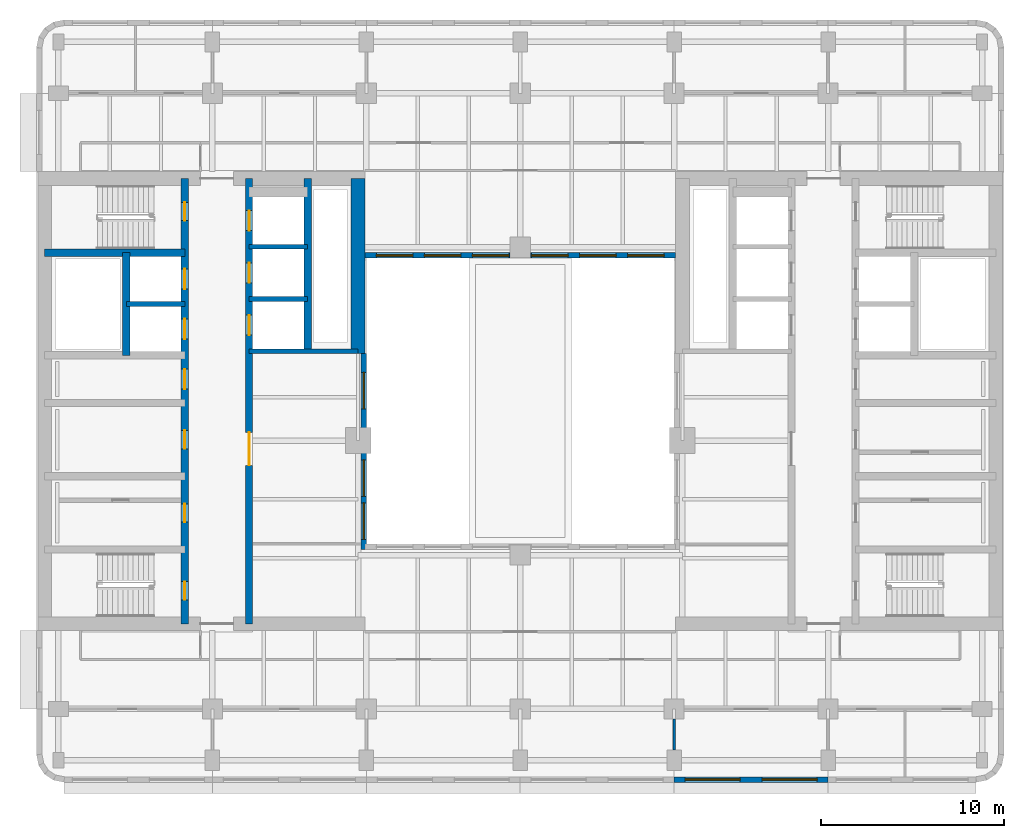
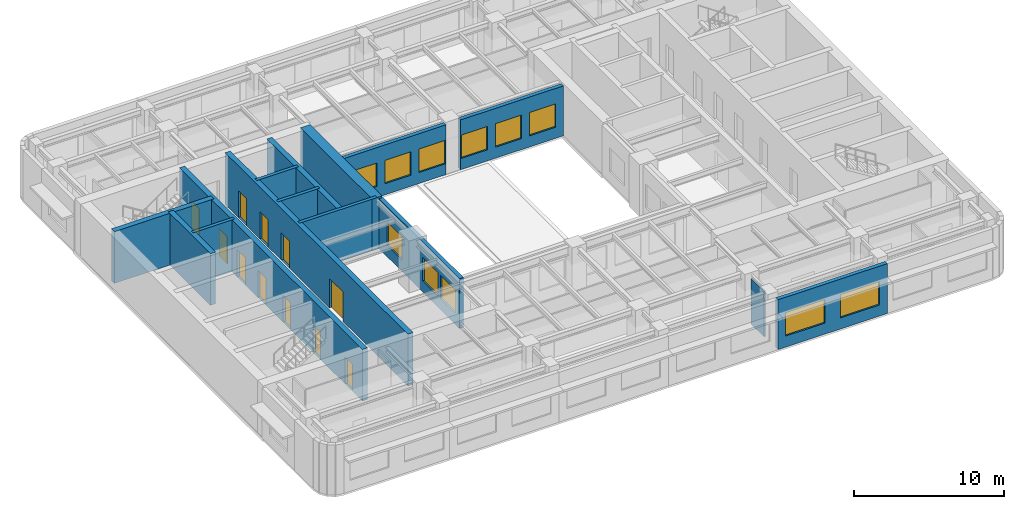
# One storey, part 4 of 11: 15 walls, 11 doors, 11 windows, 22 openings.
"""IFC4 building model written with IfcOpenShell, lengths in metres."""

from ifc_helpers import new_model, si_unit, direction, frame, frame_2d, origin, place, context, subcontext, project, spatial, rectangle, extrude, material, layer, layer_set, type_object, element, fill, save


model = new_model("IFC4")

# Units and contexts
model_context = context("Model", 3, precision=1e-05, world=origin(), true_north=direction((0.0, 1.0)))
body_context = subcontext(model_context, "Body", "Model", "MODEL_VIEW")
ifc_project = project(units=[si_unit("LENGTHUNIT", "METRE"), si_unit("AREAUNIT", "SQUARE_METRE"), si_unit("VOLUMEUNIT", "CUBIC_METRE"), si_unit("PLANEANGLEUNIT", "RADIAN"), si_unit("MASSUNIT", "GRAM", prefix="KILO")], contexts=[model_context])

# Site, building, storey
site_placement = place(None, origin())
site = spatial("IfcSite", under=ifc_project, at=site_placement, CompositionType="ELEMENT")
building_placement = place(site_placement, origin())
building = spatial("IfcBuilding", under=site, at=building_placement, Name="Claustro Exchange Tower", CompositionType="ELEMENT")
storey_placement = place(building_placement, frame((0.0, 0.0, 177.60009765625)))
storey = spatial("IfcBuildingStorey", under=building, at=storey_placement, Name="L40", CompositionType="ELEMENT", Elevation=177.60009765625)

# Wall
ifc_material_1 = material(Name="Laminated glass in aluminium frame", Category="aluminium")
ifc_layer_1 = layer(ifc_material_1, 0.1201171875)
ifc_layer_set_1 = layer_set([ifc_layer_1], Name="Laminated glass in aluminium frame")
wall_type_1 = type_object("IfcWallType", Name="P2 120 glazed partition", PredefinedType="PARTITIONING", material=ifc_layer_set_1)
wall_1_placement = place(storey_placement, frame((33.60009765625, 6.14892578125, 0.0), z_axis=(0.0, 0.0, 1.0), x_axis=(0.0, 1.0, 0.0)))
element("IfcWall", 1, at=wall_1_placement, inside=storey, type_object=wall_type_1, Name="Partition P2 L40", PredefinedType="PARTITIONING", context=body_context, shape_type="SweptSolid", body=[
    extrude(rectangle(XDim=1.7021484375, YDim=0.1201171875, at=frame_2d((0.85107421875, 0.0))), origin(), (0.0, 0.0, 1.0), 3.68994140625),
])

# Wall, openings, windows
ifc_material_2 = material(Name="Concrete HA-40 (C40/50), precast, white cement, acid-etched", Category="concrete")
ifc_layer_2 = layer(ifc_material_2, 0.300048828125)
ifc_layer_set_2 = layer_set([ifc_layer_2], Name="Concrete HA-40 (C40/50), precast, white cement, acid-etched")
wall_type_2 = type_object("IfcWallType", Name="PC1 300 precast concrete pier panel", PredefinedType="SOLIDWALL", material=ifc_layer_set_2)
wall_2_placement = place(storey_placement, frame((42.0, 4.550048828125, 0.0), z_axis=(0.0, 0.0, 1.0), x_axis=(-1.0, 0.0, 0.0)))
wall_2 = element("IfcWall", 2, at=wall_2_placement, inside=storey, type_object=wall_type_2, Name="Precast pier panel PC1 L40", PredefinedType="SOLIDWALL", context=body_context, shape_type="SweptSolid", body=[
    extrude(rectangle(XDim=8.39990234375, YDim=0.300048828125, at=frame_2d((4.199951171875, 0.0))), origin(), (0.0, 0.0, 1.0), 4.0498046875),
])
opening_1_placement = place(wall_2_placement, frame((0.60009765625, 0.0, 0.89990234375)))
opening_1 = element("IfcOpeningElement", 3, at=opening_1_placement, cuts=wall_2, Name="Opening W1", PredefinedType="OPENING", context=body_context, shape_type="SweptSolid", body=[
    extrude(rectangle(XDim=3.0, YDim=1.89990234375, at=frame_2d((1.5, 0.949951171875))), frame((0.0, 0.159912109375, 0.0), z_axis=(0.0, -1.0, 0.0), x_axis=(1.0, 0.0, 0.0)), (0.0, 0.0, 1.0), 0.320068359375),
])
opening_2_placement = place(wall_2_placement, frame((4.800048828125, 0.0, 0.89990234375)))
opening_2 = element("IfcOpeningElement", 4, at=opening_2_placement, cuts=wall_2, Name="Opening W1", PredefinedType="OPENING", context=body_context, shape_type="SweptSolid", body=[
    extrude(rectangle(XDim=3.0, YDim=1.89990234375, at=frame_2d((1.5, 0.949951171875))), frame((0.0, 0.159912109375, 0.0), z_axis=(0.0, -1.0, 0.0), x_axis=(1.0, 0.0, 0.0)), (0.0, 0.0, 1.0), 0.320068359375),
])
ifc_material_3 = material(Name="Aluminium frame, clear double glazing", Category="aluminium")
window_type_1 = type_object("IfcWindowType", Name="W1 3000 x 1900 window", PartitioningType="SINGLE_PANEL", PredefinedType="WINDOW", material=ifc_material_3)
window_1_placement = place(opening_1_placement, origin())
window_1 = element("IfcWindow", 5, at=window_1_placement, inside=storey, type_object=window_type_1, Name="Window W1 L40", OverallHeight=1.89990234375, OverallWidth=3.0, PartitioningType="SINGLE_PANEL", PredefinedType="WINDOW", context=body_context, shape_type="SweptSolid", body=[
    extrude(rectangle(XDim=3.0, YDim=1.89990234375, at=frame_2d((1.5, 0.949951171875))), frame((0.0, 0.030029296875, 0.0), z_axis=(0.0, -1.0, 0.0), x_axis=(1.0, 0.0, 0.0)), (0.0, 0.0, 1.0), 0.06005859375),
])
fill(opening_1, window_1)
window_2_placement = place(opening_2_placement, origin())
window_2 = element("IfcWindow", 6, at=window_2_placement, inside=storey, type_object=window_type_1, Name="Window W1 L40", OverallHeight=1.89990234375, OverallWidth=3.0, PartitioningType="SINGLE_PANEL", PredefinedType="WINDOW", context=body_context, shape_type="SweptSolid", body=[
    extrude(rectangle(XDim=3.0, YDim=1.89990234375, at=frame_2d((1.5, 0.949951171875))), frame((0.0, 0.030029296875, 0.0), z_axis=(0.0, -1.0, 0.0), x_axis=(1.0, 0.0, 0.0)), (0.0, 0.0, 1.0), 0.06005859375),
])
fill(opening_2, window_2)

wall_3_placement = place(storey_placement, frame((16.64990234375, 17.10009765625, 0.0), z_axis=(0.0, 0.0, 1.0), x_axis=(0.0, 1.0, 0.0)))
wall_3 = element("IfcWall", 7, at=wall_3_placement, inside=storey, type_object=wall_type_2, Name="Precast pier panel PC1 L40", PredefinedType="SOLIDWALL", context=body_context, shape_type="SweptSolid", body=[
    extrude(rectangle(XDim=10.699951171875, YDim=0.300048828125, at=frame_2d((5.35009765625, 0.0))), origin(), (0.0, 0.0, 1.0), 4.0498046875),
])
opening_3_placement = place(wall_3_placement, frame((0.550048828125, 0.0, 0.89990234375)))
opening_3 = element("IfcOpeningElement", 8, at=opening_3_placement, cuts=wall_3, Name="Opening W4", PredefinedType="OPENING", context=body_context, shape_type="SweptSolid", body=[
    extrude(rectangle(XDim=2.0, YDim=1.89990234375, at=frame_2d((1.0, 0.949951171875))), frame((0.0, 0.159912109375, 0.0), z_axis=(0.0, -1.0, 0.0), x_axis=(1.0, 0.0, 0.0)), (0.0, 0.0, 1.0), 0.320068359375),
])
opening_4_placement = place(wall_3_placement, frame((2.89990234375, 0.0, 0.89990234375)))
opening_4 = element("IfcOpeningElement", 9, at=opening_4_placement, cuts=wall_3, Name="Opening W4", PredefinedType="OPENING", context=body_context, shape_type="SweptSolid", body=[
    extrude(rectangle(XDim=2.0, YDim=1.89990234375, at=frame_2d((1.0, 0.949951171875))), frame((0.0, 0.159912109375, 0.0), z_axis=(0.0, -1.0, 0.0), x_axis=(1.0, 0.0, 0.0)), (0.0, 0.0, 1.0), 0.320068359375),
])
opening_5_placement = place(wall_3_placement, frame((7.675048828125, 0.0, 0.89990234375)))
opening_5 = element("IfcOpeningElement", 10, at=opening_5_placement, cuts=wall_3, Name="Opening W4", PredefinedType="OPENING", context=body_context, shape_type="SweptSolid", body=[
    extrude(rectangle(XDim=2.0, YDim=1.89990234375, at=frame_2d((1.0, 0.949951171875))), frame((0.0, 0.159912109375, 0.0), z_axis=(0.0, -1.0, 0.0), x_axis=(1.0, 0.0, 0.0)), (0.0, 0.0, 1.0), 0.320068359375),
])
ifc_material_4 = material(Name="Aluminium frame, clear double glazing", Category="aluminium")
window_type_2 = type_object("IfcWindowType", Name="W4 2000 x 1900 light well window", PartitioningType="SINGLE_PANEL", PredefinedType="WINDOW", material=ifc_material_4)
window_3_placement = place(opening_3_placement, origin())
window_3 = element("IfcWindow", 11, at=window_3_placement, inside=storey, type_object=window_type_2, Name="Window W4 L40", OverallHeight=1.89990234375, OverallWidth=2.0, PartitioningType="SINGLE_PANEL", PredefinedType="WINDOW", context=body_context, shape_type="SweptSolid", body=[
    extrude(rectangle(XDim=2.0, YDim=1.89990234375, at=frame_2d((1.0, 0.949951171875))), frame((0.0, 0.030029296875, 0.0), z_axis=(0.0, -1.0, 0.0), x_axis=(1.0, 0.0, 0.0)), (0.0, 0.0, 1.0), 0.06005859375),
])
fill(opening_3, window_3)
window_4_placement = place(opening_4_placement, origin())
window_4 = element("IfcWindow", 12, at=window_4_placement, inside=storey, type_object=window_type_2, Name="Window W4 L40", OverallHeight=1.89990234375, OverallWidth=2.0, PartitioningType="SINGLE_PANEL", PredefinedType="WINDOW", context=body_context, shape_type="SweptSolid", body=[
    extrude(rectangle(XDim=2.0, YDim=1.89990234375, at=frame_2d((1.0, 0.949951171875))), frame((0.0, 0.030029296875, 0.0), z_axis=(0.0, -1.0, 0.0), x_axis=(1.0, 0.0, 0.0)), (0.0, 0.0, 1.0), 0.06005859375),
])
fill(opening_4, window_4)
window_5_placement = place(opening_5_placement, origin())
window_5 = element("IfcWindow", 13, at=window_5_placement, inside=storey, type_object=window_type_2, Name="Window W4 L40", OverallHeight=1.89990234375, OverallWidth=2.0, PartitioningType="SINGLE_PANEL", PredefinedType="WINDOW", context=body_context, shape_type="SweptSolid", body=[
    extrude(rectangle(XDim=2.0, YDim=1.89990234375, at=frame_2d((1.0, 0.949951171875))), frame((0.0, 0.030029296875, 0.0), z_axis=(0.0, -1.0, 0.0), x_axis=(1.0, 0.0, 0.0)), (0.0, 0.0, 1.0), 0.06005859375),
])
fill(opening_5, window_5)

wall_4_placement = place(storey_placement, frame((16.72509765625, 33.14990234375, 0.0), z_axis=(0.0, 0.0, 1.0), x_axis=(1.0, 0.0, 0.0)))
wall_4 = element("IfcWall", 14, at=wall_4_placement, inside=storey, type_object=wall_type_2, Name="Precast pier panel PC1 L40", PredefinedType="SOLIDWALL", context=body_context, shape_type="SweptSolid", body=[
    extrude(rectangle(XDim=7.9248046875, YDim=0.300048828125, at=frame_2d((3.96240234375, 0.0))), origin(), (0.0, 0.0, 1.0), 4.0498046875),
])
opening_6_placement = place(wall_4_placement, frame((0.61865234375, 0.0, 0.89990234375)))
opening_6 = element("IfcOpeningElement", 15, at=opening_6_placement, cuts=wall_4, Name="Opening W4", PredefinedType="OPENING", context=body_context, shape_type="SweptSolid", body=[
    extrude(rectangle(XDim=2.0, YDim=1.89990234375, at=frame_2d((1.0, 0.949951171875))), frame((0.0, 0.159912109375, 0.0), z_axis=(0.0, -1.0, 0.0), x_axis=(1.0, 0.0, 0.0)), (0.0, 0.0, 1.0), 0.320068359375),
])
opening_7_placement = place(wall_4_placement, frame((3.237548828125, 0.0, 0.89990234375)))
opening_7 = element("IfcOpeningElement", 16, at=opening_7_placement, cuts=wall_4, Name="Opening W4", PredefinedType="OPENING", context=body_context, shape_type="SweptSolid", body=[
    extrude(rectangle(XDim=2.0, YDim=1.89990234375, at=frame_2d((1.0, 0.949951171875))), frame((0.0, 0.159912109375, 0.0), z_axis=(0.0, -1.0, 0.0), x_axis=(1.0, 0.0, 0.0)), (0.0, 0.0, 1.0), 0.320068359375),
])
opening_8_placement = place(wall_4_placement, frame((5.856201171875, 0.0, 0.89990234375)))
opening_8 = element("IfcOpeningElement", 17, at=opening_8_placement, cuts=wall_4, Name="Opening W4", PredefinedType="OPENING", context=body_context, shape_type="SweptSolid", body=[
    extrude(rectangle(XDim=2.0, YDim=1.89990234375, at=frame_2d((1.0, 0.949951171875))), frame((0.0, 0.159912109375, 0.0), z_axis=(0.0, -1.0, 0.0), x_axis=(1.0, 0.0, 0.0)), (0.0, 0.0, 1.0), 0.320068359375),
])
window_6_placement = place(opening_6_placement, origin())
window_6 = element("IfcWindow", 18, at=window_6_placement, inside=storey, type_object=window_type_2, Name="Window W4 L40", OverallHeight=1.89990234375, OverallWidth=2.0, PartitioningType="SINGLE_PANEL", PredefinedType="WINDOW", context=body_context, shape_type="SweptSolid", body=[
    extrude(rectangle(XDim=2.0, YDim=1.89990234375, at=frame_2d((1.0, 0.949951171875))), frame((0.0, 0.030029296875, 0.0), z_axis=(0.0, -1.0, 0.0), x_axis=(1.0, 0.0, 0.0)), (0.0, 0.0, 1.0), 0.06005859375),
])
fill(opening_6, window_6)
window_7_placement = place(opening_7_placement, origin())
window_7 = element("IfcWindow", 19, at=window_7_placement, inside=storey, type_object=window_type_2, Name="Window W4 L40", OverallHeight=1.89990234375, OverallWidth=2.0, PartitioningType="SINGLE_PANEL", PredefinedType="WINDOW", context=body_context, shape_type="SweptSolid", body=[
    extrude(rectangle(XDim=2.0, YDim=1.89990234375, at=frame_2d((1.0, 0.949951171875))), frame((0.0, 0.030029296875, 0.0), z_axis=(0.0, -1.0, 0.0), x_axis=(1.0, 0.0, 0.0)), (0.0, 0.0, 1.0), 0.06005859375),
])
fill(opening_7, window_7)
window_8_placement = place(opening_8_placement, origin())
window_8 = element("IfcWindow", 20, at=window_8_placement, inside=storey, type_object=window_type_2, Name="Window W4 L40", OverallHeight=1.89990234375, OverallWidth=2.0, PartitioningType="SINGLE_PANEL", PredefinedType="WINDOW", context=body_context, shape_type="SweptSolid", body=[
    extrude(rectangle(XDim=2.0, YDim=1.89990234375, at=frame_2d((1.0, 0.949951171875))), frame((0.0, 0.030029296875, 0.0), z_axis=(0.0, -1.0, 0.0), x_axis=(1.0, 0.0, 0.0)), (0.0, 0.0, 1.0), 0.06005859375),
])
fill(opening_8, window_8)

wall_5_placement = place(storey_placement, frame((25.75, 33.14990234375, 0.0), z_axis=(0.0, 0.0, 1.0), x_axis=(1.0, 0.0, 0.0)))
wall_5 = element("IfcWall", 21, at=wall_5_placement, inside=storey, type_object=wall_type_2, Name="Precast pier panel PC1 L40", PredefinedType="SOLIDWALL", context=body_context, shape_type="SweptSolid", body=[
    extrude(rectangle(XDim=7.925048828125, YDim=0.300048828125, at=frame_2d((3.96240234375, 0.0))), origin(), (0.0, 0.0, 1.0), 4.0498046875),
])
opening_9_placement = place(wall_5_placement, frame((0.068603515625, 0.0, 0.89990234375)))
opening_9 = element("IfcOpeningElement", 22, at=opening_9_placement, cuts=wall_5, Name="Opening W4", PredefinedType="OPENING", context=body_context, shape_type="SweptSolid", body=[
    extrude(rectangle(XDim=2.0, YDim=1.89990234375, at=frame_2d((1.0, 0.949951171875))), frame((0.0, 0.159912109375, 0.0), z_axis=(0.0, -1.0, 0.0), x_axis=(1.0, 0.0, 0.0)), (0.0, 0.0, 1.0), 0.320068359375),
])
opening_10_placement = place(wall_5_placement, frame((2.6875, 0.0, 0.89990234375)))
opening_10 = element("IfcOpeningElement", 23, at=opening_10_placement, cuts=wall_5, Name="Opening W4", PredefinedType="OPENING", context=body_context, shape_type="SweptSolid", body=[
    extrude(rectangle(XDim=2.0, YDim=1.89990234375, at=frame_2d((1.0, 0.949951171875))), frame((0.0, 0.159912109375, 0.0), z_axis=(0.0, -1.0, 0.0), x_axis=(1.0, 0.0, 0.0)), (0.0, 0.0, 1.0), 0.320068359375),
])
opening_11_placement = place(wall_5_placement, frame((5.30615234375, 0.0, 0.89990234375)))
opening_11 = element("IfcOpeningElement", 24, at=opening_11_placement, cuts=wall_5, Name="Opening W4", PredefinedType="OPENING", context=body_context, shape_type="SweptSolid", body=[
    extrude(rectangle(XDim=2.0, YDim=1.89990234375, at=frame_2d((1.0, 0.949951171875))), frame((0.0, 0.159912109375, 0.0), z_axis=(0.0, -1.0, 0.0), x_axis=(1.0, 0.0, 0.0)), (0.0, 0.0, 1.0), 0.320068359375),
])
window_9_placement = place(opening_9_placement, origin())
window_9 = element("IfcWindow", 25, at=window_9_placement, inside=storey, type_object=window_type_2, Name="Window W4 L40", OverallHeight=1.89990234375, OverallWidth=2.0, PartitioningType="SINGLE_PANEL", PredefinedType="WINDOW", context=body_context, shape_type="SweptSolid", body=[
    extrude(rectangle(XDim=2.0, YDim=1.89990234375, at=frame_2d((1.0, 0.949951171875))), frame((0.0, 0.030029296875, 0.0), z_axis=(0.0, -1.0, 0.0), x_axis=(1.0, 0.0, 0.0)), (0.0, 0.0, 1.0), 0.06005859375),
])
fill(opening_9, window_9)
window_10_placement = place(opening_10_placement, origin())
window_10 = element("IfcWindow", 26, at=window_10_placement, inside=storey, type_object=window_type_2, Name="Window W4 L40", OverallHeight=1.89990234375, OverallWidth=2.0, PartitioningType="SINGLE_PANEL", PredefinedType="WINDOW", context=body_context, shape_type="SweptSolid", body=[
    extrude(rectangle(XDim=2.0, YDim=1.89990234375, at=frame_2d((1.0, 0.949951171875))), frame((0.0, 0.030029296875, 0.0), z_axis=(0.0, -1.0, 0.0), x_axis=(1.0, 0.0, 0.0)), (0.0, 0.0, 1.0), 0.06005859375),
])
fill(opening_10, window_10)
window_11_placement = place(opening_11_placement, origin())
window_11 = element("IfcWindow", 27, at=window_11_placement, inside=storey, type_object=window_type_2, Name="Window W4 L40", OverallHeight=1.89990234375, OverallWidth=2.0, PartitioningType="SINGLE_PANEL", PredefinedType="WINDOW", context=body_context, shape_type="SweptSolid", body=[
    extrude(rectangle(XDim=2.0, YDim=1.89990234375, at=frame_2d((1.0, 0.949951171875))), frame((0.0, 0.030029296875, 0.0), z_axis=(0.0, -1.0, 0.0), x_axis=(1.0, 0.0, 0.0)), (0.0, 0.0, 1.0), 0.06005859375),
])
fill(opening_11, window_11)

# Wall
ifc_material_5 = material(Name="Concrete HA-70 (C70/85)", Category="concrete")
ifc_layer_3 = layer(ifc_material_5, 0.75)
ifc_layer_set_3 = layer_set([ifc_layer_3], Name="Concrete HA-70 (C70/85)")
wall_type_3 = type_object("IfcWallType", Name="SW2X 750 exposed core shear wall, board-marked face", PredefinedType="SHEAR", material=ifc_layer_set_3)
wall_6_placement = place(storey_placement, frame((16.35009765625, 27.800048828125, 0.0), z_axis=(0.0, 0.0, 1.0), x_axis=(0.0, 1.0, 0.0)))
element("IfcWall", 28, at=wall_6_placement, inside=storey, type_object=wall_type_3, Name="Core wall SW2X W core E face L40", PredefinedType="SHEAR", context=body_context, shape_type="SweptSolid", body=[
    extrude(rectangle(XDim=9.550048828125, YDim=0.75, at=frame_2d((4.77490234375, 0.0))), origin(), (0.0, 0.0, 1.0), 4.199951171875),
])

# Wall, openings, doors
ifc_material_6 = material(Name="Concrete HA-50 (C50/60)", Category="concrete")
ifc_layer_4 = layer(ifc_material_6, 0.39990234375)
ifc_layer_set_4 = layer_set([ifc_layer_4], Name="Concrete HA-50 (C50/60)")
wall_type_4 = type_object("IfcWallType", Name="SW4 400 internal core wall", PredefinedType="SHEAR", material=ifc_layer_set_4)
wall_7_placement = place(storey_placement, frame((6.89990234375, 13.050048828125, 0.0), z_axis=(0.0, 0.0, 1.0), x_axis=(0.0, 1.0, 0.0)))
wall_7 = element("IfcWall", 29, at=wall_7_placement, inside=storey, type_object=wall_type_4, Name="Internal core wall SW4 W core L40", PredefinedType="SHEAR", context=body_context, shape_type="SweptSolid", body=[
    extrude(rectangle(XDim=24.300048828125, YDim=0.39990234375, at=frame_2d((12.14990234375, 0.0))), origin(), (0.0, 0.0, 1.0), 4.199951171875),
])
opening_12_placement = place(wall_7_placement, frame((1.300048828125, 0.0, 0.0)))
opening_12 = element("IfcOpeningElement", 30, at=opening_12_placement, cuts=wall_7, Name="Opening D4", PredefinedType="OPENING", context=body_context, shape_type="SweptSolid", body=[
    extrude(rectangle(XDim=1.0, YDim=2.199951171875, at=frame_2d((0.5, 1.10009765625))), frame((0.0, 0.2099609375, 0.0), z_axis=(0.0, -1.0, 0.0), x_axis=(1.0, 0.0, 0.0)), (0.0, 0.0, 1.0), 0.419921875),
])
opening_13_placement = place(wall_7_placement, frame((22.0, 0.0, 0.0)))
opening_13 = element("IfcOpeningElement", 31, at=opening_13_placement, cuts=wall_7, Name="Opening D4", PredefinedType="OPENING", context=body_context, shape_type="SweptSolid", body=[
    extrude(rectangle(XDim=1.0, YDim=2.199951171875, at=frame_2d((0.5, 1.10009765625))), frame((0.0, 0.2099609375, 0.0), z_axis=(0.0, -1.0, 0.0), x_axis=(1.0, 0.0, 0.0)), (0.0, 0.0, 1.0), 0.419921875),
])
opening_14_placement = place(wall_7_placement, frame((5.550048828125, 0.0, 0.0)))
opening_14 = element("IfcOpeningElement", 32, at=opening_14_placement, cuts=wall_7, Name="Opening D1", PredefinedType="OPENING", context=body_context, shape_type="SweptSolid", body=[
    extrude(rectangle(XDim=1.0, YDim=2.199951171875, at=frame_2d((0.5, 1.10009765625))), frame((0.0, 0.2099609375, 0.0), z_axis=(0.0, -1.0, 0.0), x_axis=(1.0, 0.0, 0.0)), (0.0, 0.0, 1.0), 0.419921875),
])
opening_15_placement = place(wall_7_placement, frame((9.550048828125, 0.0, 0.0)))
opening_15 = element("IfcOpeningElement", 33, at=opening_15_placement, cuts=wall_7, Name="Opening D1", PredefinedType="OPENING", context=body_context, shape_type="SweptSolid", body=[
    extrude(rectangle(XDim=1.0, YDim=2.199951171875, at=frame_2d((0.5, 1.10009765625))), frame((0.0, 0.2099609375, 0.0), z_axis=(0.0, -1.0, 0.0), x_axis=(1.0, 0.0, 0.0)), (0.0, 0.0, 1.0), 0.419921875),
])
opening_16_placement = place(wall_7_placement, frame((12.800048828125, 0.0, 0.0)))
opening_16 = element("IfcOpeningElement", 34, at=opening_16_placement, cuts=wall_7, Name="Opening D10", PredefinedType="OPENING", context=body_context, shape_type="SweptSolid", body=[
    extrude(rectangle(XDim=1.10009765625, YDim=2.199951171875, at=frame_2d((0.550048828125, 1.10009765625))), frame((0.0, 0.2099609375, 0.0), z_axis=(0.0, -1.0, 0.0), x_axis=(1.0, 0.0, 0.0)), (0.0, 0.0, 1.0), 0.419921875),
])
opening_17_placement = place(wall_7_placement, frame((15.53759765625, 0.0, 0.0)))
opening_17 = element("IfcOpeningElement", 35, at=opening_17_placement, cuts=wall_7, Name="Opening LD", PredefinedType="OPENING", context=body_context, shape_type="SweptSolid", body=[
    extrude(rectangle(XDim=1.10009765625, YDim=2.199951171875, at=frame_2d((0.550048828125, 1.10009765625))), frame((0.0, 0.2099609375, 0.0), z_axis=(0.0, -1.0, 0.0), x_axis=(1.0, 0.0, 0.0)), (0.0, 0.0, 1.0), 0.419921875),
])
opening_18_placement = place(wall_7_placement, frame((18.262451171875, 0.0, 0.0)))
opening_18 = element("IfcOpeningElement", 36, at=opening_18_placement, cuts=wall_7, Name="Opening LD", PredefinedType="OPENING", context=body_context, shape_type="SweptSolid", body=[
    extrude(rectangle(XDim=1.10009765625, YDim=2.199951171875, at=frame_2d((0.550048828125, 1.10009765625))), frame((0.0, 0.2099609375, 0.0), z_axis=(0.0, -1.0, 0.0), x_axis=(1.0, 0.0, 0.0)), (0.0, 0.0, 1.0), 0.419921875),
])
ifc_material_7 = material(Name="Timber door, oak veneer", Category="wood")
door_type_1 = type_object("IfcDoorType", Name="D1 1000 x 2200 single door", OperationType="SINGLE_SWING_LEFT", PredefinedType="DOOR", material=ifc_material_7)
door_1_placement = place(opening_14_placement, origin())
door_1 = element("IfcDoor", 37, at=door_1_placement, inside=storey, type_object=door_type_1, Name="Door D1 L40", OperationType="SINGLE_SWING_RIGHT", OverallHeight=2.199951171875, OverallWidth=1.0, PredefinedType="DOOR", context=body_context, shape_type="SweptSolid", body=[
    extrude(rectangle(XDim=1.0, YDim=2.199951171875, at=frame_2d((0.5, 1.10009765625))), frame((0.0, 0.02490234375, 0.0), z_axis=(0.0, -1.0, 0.0), x_axis=(1.0, 0.0, 0.0)), (0.0, 0.0, 1.0), 0.050048828125),
])
fill(opening_14, door_1)
door_2_placement = place(opening_15_placement, origin())
door_2 = element("IfcDoor", 38, at=door_2_placement, inside=storey, type_object=door_type_1, Name="Door D1 L40", OperationType="SINGLE_SWING_RIGHT", OverallHeight=2.199951171875, OverallWidth=1.0, PredefinedType="DOOR", context=body_context, shape_type="SweptSolid", body=[
    extrude(rectangle(XDim=1.0, YDim=2.199951171875, at=frame_2d((0.5, 1.10009765625))), frame((0.0, 0.02490234375, 0.0), z_axis=(0.0, -1.0, 0.0), x_axis=(1.0, 0.0, 0.0)), (0.0, 0.0, 1.0), 0.050048828125),
])
fill(opening_15, door_2)
ifc_material_8 = material(Name="Timber door, oak veneer", Category="wood")
door_type_2 = type_object("IfcDoorType", Name="D10 1100 x 2200 accessible WC door", OperationType="SINGLE_SWING_LEFT", PredefinedType="DOOR", material=ifc_material_8)
door_3_placement = place(opening_16_placement, frame((1.10009765625, 0.0, 0.0), z_axis=(0.0, 0.0, 1.0), x_axis=(-1.0, 0.0, 0.0)))
door_3 = element("IfcDoor", 39, at=door_3_placement, inside=storey, type_object=door_type_2, Name="Accessible WC door D10 L40", OperationType="SINGLE_SWING_LEFT", OverallHeight=2.199951171875, OverallWidth=1.10009765625, PredefinedType="DOOR", context=body_context, shape_type="SweptSolid", body=[
    extrude(rectangle(XDim=1.10009765625, YDim=2.199951171875, at=frame_2d((0.550048828125, 1.10009765625))), frame((0.0, 0.02490234375, 0.0), z_axis=(0.0, -1.0, 0.0), x_axis=(1.0, 0.0, 0.0)), (0.0, 0.0, 1.0), 0.050048828125),
])
fill(opening_16, door_3)
ifc_material_9 = material(Name="Steel fire door, painted", Category="steel")
door_type_3 = type_object("IfcDoorType", Name="D4 1000 x 2200 fire-rated stair door", OperationType="SINGLE_SWING_LEFT", PredefinedType="DOOR", material=ifc_material_9)
door_4_placement = place(opening_12_placement, origin())
door_4 = element("IfcDoor", 40, at=door_4_placement, inside=storey, type_object=door_type_3, Name="Stair door D4 L40", OperationType="SINGLE_SWING_LEFT", OverallHeight=2.199951171875, OverallWidth=1.0, PredefinedType="DOOR", context=body_context, shape_type="SweptSolid", body=[
    extrude(rectangle(XDim=1.0, YDim=2.199951171875, at=frame_2d((0.5, 1.10009765625))), frame((0.0, 0.02490234375, 0.0), z_axis=(0.0, -1.0, 0.0), x_axis=(1.0, 0.0, 0.0)), (0.0, 0.0, 1.0), 0.050048828125),
])
fill(opening_12, door_4)
door_5_placement = place(opening_13_placement, origin())
door_5 = element("IfcDoor", 41, at=door_5_placement, inside=storey, type_object=door_type_3, Name="Stair door D4 L40", OperationType="SINGLE_SWING_RIGHT", OverallHeight=2.199951171875, OverallWidth=1.0, PredefinedType="DOOR", context=body_context, shape_type="SweptSolid", body=[
    extrude(rectangle(XDim=1.0, YDim=2.199951171875, at=frame_2d((0.5, 1.10009765625))), frame((0.0, 0.02490234375, 0.0), z_axis=(0.0, -1.0, 0.0), x_axis=(1.0, 0.0, 0.0)), (0.0, 0.0, 1.0), 0.050048828125),
])
fill(opening_13, door_5)
ifc_material_10 = material(Name="Stainless steel sliding door", Category="steel")
door_type_4 = type_object("IfcDoorType", Name="LD 1100 x 2200 lift landing door", OperationType="DOUBLE_DOOR_SLIDING", PredefinedType="DOOR", material=ifc_material_10)
door_6_placement = place(opening_17_placement, origin())
door_6 = element("IfcDoor", 42, at=door_6_placement, inside=storey, type_object=door_type_4, Name="Lift landing door LEW1 LD L40", OperationType="DOUBLE_DOOR_SLIDING", OverallHeight=2.199951171875, OverallWidth=1.10009765625, PredefinedType="DOOR", context=body_context, shape_type="SweptSolid", body=[
    extrude(rectangle(XDim=1.10009765625, YDim=2.199951171875, at=frame_2d((0.550048828125, 1.10009765625))), frame((0.0, 0.02490234375, 0.0), z_axis=(0.0, -1.0, 0.0), x_axis=(1.0, 0.0, 0.0)), (0.0, 0.0, 1.0), 0.050048828125),
])
fill(opening_17, door_6)
door_7_placement = place(opening_18_placement, origin())
door_7 = element("IfcDoor", 43, at=door_7_placement, inside=storey, type_object=door_type_4, Name="Lift landing door LEW2 LD L40", OperationType="DOUBLE_DOOR_SLIDING", OverallHeight=2.199951171875, OverallWidth=1.10009765625, PredefinedType="DOOR", context=body_context, shape_type="SweptSolid", body=[
    extrude(rectangle(XDim=1.10009765625, YDim=2.199951171875, at=frame_2d((0.550048828125, 1.10009765625))), frame((0.0, 0.02490234375, 0.0), z_axis=(0.0, -1.0, 0.0), x_axis=(1.0, 0.0, 0.0)), (0.0, 0.0, 1.0), 0.050048828125),
])
fill(opening_18, door_7)

wall_8_placement = place(storey_placement, frame((10.39990234375, 13.050048828125, 0.0), z_axis=(0.0, 0.0, 1.0), x_axis=(0.0, 1.0, 0.0)))
wall_8 = element("IfcWall", 44, at=wall_8_placement, inside=storey, type_object=wall_type_4, Name="Internal core wall SW4 W core L40", PredefinedType="SHEAR", context=body_context, shape_type="SweptSolid", body=[
    extrude(rectangle(XDim=24.300048828125, YDim=0.39990234375, at=frame_2d((12.14990234375, 0.0))), origin(), (0.0, 0.0, 1.0), 4.199951171875),
])
opening_19_placement = place(wall_8_placement, frame((15.75, 0.0, 0.0)))
opening_19 = element("IfcOpeningElement", 45, at=opening_19_placement, cuts=wall_8, Name="Opening LD", PredefinedType="OPENING", context=body_context, shape_type="SweptSolid", body=[
    extrude(rectangle(XDim=1.10009765625, YDim=2.199951171875, at=frame_2d((0.550048828125, 1.10009765625))), frame((0.0, 0.2099609375, 0.0), z_axis=(0.0, -1.0, 0.0), x_axis=(1.0, 0.0, 0.0)), (0.0, 0.0, 1.0), 0.419921875),
])
opening_20_placement = place(wall_8_placement, frame((18.60009765625, 0.0, 0.0)))
opening_20 = element("IfcOpeningElement", 46, at=opening_20_placement, cuts=wall_8, Name="Opening LD", PredefinedType="OPENING", context=body_context, shape_type="SweptSolid", body=[
    extrude(rectangle(XDim=1.10009765625, YDim=2.199951171875, at=frame_2d((0.550048828125, 1.10009765625))), frame((0.0, 0.2099609375, 0.0), z_axis=(0.0, -1.0, 0.0), x_axis=(1.0, 0.0, 0.0)), (0.0, 0.0, 1.0), 0.419921875),
])
opening_21_placement = place(wall_8_placement, frame((21.449951171875, 0.0, 0.0)))
opening_21 = element("IfcOpeningElement", 47, at=opening_21_placement, cuts=wall_8, Name="Opening LD", PredefinedType="OPENING", context=body_context, shape_type="SweptSolid", body=[
    extrude(rectangle(XDim=1.10009765625, YDim=2.199951171875, at=frame_2d((0.550048828125, 1.10009765625))), frame((0.0, 0.2099609375, 0.0), z_axis=(0.0, -1.0, 0.0), x_axis=(1.0, 0.0, 0.0)), (0.0, 0.0, 1.0), 0.419921875),
])
opening_22_placement = place(wall_8_placement, frame((8.64990234375, 0.0, 0.0)))
opening_22 = element("IfcOpeningElement", 48, at=opening_22_placement, cuts=wall_8, Name="Opening D3", PredefinedType="OPENING", context=body_context, shape_type="SweptSolid", body=[
    extrude(rectangle(XDim=1.800048828125, YDim=2.39990234375, at=frame_2d((0.89990234375, 1.199951171875))), frame((0.0, 0.2099609375, 0.0), z_axis=(0.0, -1.0, 0.0), x_axis=(1.0, 0.0, 0.0)), (0.0, 0.0, 1.0), 0.419921875),
])
ifc_material_11 = material(Name="Steel fire door, painted", Category="steel")
door_type_5 = type_object("IfcDoorType", Name="D3 1800 x 2400 fire-rated lobby double door", OperationType="DOUBLE_DOOR_SINGLE_SWING", PredefinedType="DOOR", material=ifc_material_11)
door_8_placement = place(opening_22_placement, frame((1.800048828125, 0.0, 0.0), z_axis=(0.0, 0.0, 1.0), x_axis=(-1.0, 0.0, 0.0)))
door_8 = element("IfcDoor", 49, at=door_8_placement, inside=storey, type_object=door_type_5, Name="Core zone door D3 L40", OperationType="DOUBLE_DOOR_SINGLE_SWING", OverallHeight=2.39990234375, OverallWidth=1.800048828125, PredefinedType="DOOR", context=body_context, shape_type="SweptSolid", body=[
    extrude(rectangle(XDim=1.800048828125, YDim=2.39990234375, at=frame_2d((0.89990234375, 1.199951171875))), frame((0.0, 0.02490234375, 0.0), z_axis=(0.0, -1.0, 0.0), x_axis=(1.0, 0.0, 0.0)), (0.0, 0.0, 1.0), 0.050048828125),
])
fill(opening_22, door_8)
door_9_placement = place(opening_19_placement, origin())
door_9 = element("IfcDoor", 50, at=door_9_placement, inside=storey, type_object=door_type_4, Name="Lift landing door LHW1 LD L40", OperationType="DOUBLE_DOOR_SLIDING", OverallHeight=2.199951171875, OverallWidth=1.10009765625, PredefinedType="DOOR", context=body_context, shape_type="SweptSolid", body=[
    extrude(rectangle(XDim=1.10009765625, YDim=2.199951171875, at=frame_2d((0.550048828125, 1.10009765625))), frame((0.0, 0.02490234375, 0.0), z_axis=(0.0, -1.0, 0.0), x_axis=(1.0, 0.0, 0.0)), (0.0, 0.0, 1.0), 0.050048828125),
])
fill(opening_19, door_9)
door_10_placement = place(opening_20_placement, origin())
door_10 = element("IfcDoor", 51, at=door_10_placement, inside=storey, type_object=door_type_4, Name="Lift landing door LHW2 LD L40", OperationType="DOUBLE_DOOR_SLIDING", OverallHeight=2.199951171875, OverallWidth=1.10009765625, PredefinedType="DOOR", context=body_context, shape_type="SweptSolid", body=[
    extrude(rectangle(XDim=1.10009765625, YDim=2.199951171875, at=frame_2d((0.550048828125, 1.10009765625))), frame((0.0, 0.02490234375, 0.0), z_axis=(0.0, -1.0, 0.0), x_axis=(1.0, 0.0, 0.0)), (0.0, 0.0, 1.0), 0.050048828125),
])
fill(opening_20, door_10)
door_11_placement = place(opening_21_placement, origin())
door_11 = element("IfcDoor", 52, at=door_11_placement, inside=storey, type_object=door_type_4, Name="Lift landing door LSW1 LD L40", OperationType="DOUBLE_DOOR_SLIDING", OverallHeight=2.199951171875, OverallWidth=1.10009765625, PredefinedType="DOOR", context=body_context, shape_type="SweptSolid", body=[
    extrude(rectangle(XDim=1.10009765625, YDim=2.199951171875, at=frame_2d((0.550048828125, 1.10009765625))), frame((0.0, 0.02490234375, 0.0), z_axis=(0.0, -1.0, 0.0), x_axis=(1.0, 0.0, 0.0)), (0.0, 0.0, 1.0), 0.050048828125),
])
fill(opening_21, door_11)

# Walls
wall_9_placement = place(storey_placement, frame((13.60009765625, 27.925048828125, 0.0), z_axis=(0.0, 0.0, 1.0), x_axis=(0.0, 1.0, 0.0)))
element("IfcWall", 53, at=wall_9_placement, inside=storey, type_object=wall_type_4, Name="Internal core wall SW4 W core L40", PredefinedType="SHEAR", context=body_context, shape_type="SweptSolid", body=[
    extrude(rectangle(XDim=9.425048828125, YDim=0.39990234375, at=frame_2d((4.71240234375, 0.0))), origin(), (0.0, 0.0, 1.0), 4.199951171875),
])
wall_10_placement = place(storey_placement, frame((-0.75, 33.300048828125, 0.0), z_axis=(0.0, 0.0, 1.0), x_axis=(1.0, 0.0, 0.0)))
element("IfcWall", 54, at=wall_10_placement, inside=storey, type_object=wall_type_4, Name="Internal core wall SW4 W core L40", PredefinedType="SHEAR", context=body_context, shape_type="SweptSolid", body=[
    extrude(rectangle(XDim=7.64990234375, YDim=0.39990234375, at=frame_2d((3.824951171875, 0.0))), origin(), (0.0, 0.0, 1.0), 4.199951171875),
])
wall_11_placement = place(storey_placement, frame((3.699951171875, 27.699951171875, 0.0), z_axis=(0.0, 0.0, 1.0), x_axis=(0.0, 1.0, 0.0)))
element("IfcWall", 55, at=wall_11_placement, inside=storey, type_object=wall_type_4, Name="Internal core wall SW4 W core L40", PredefinedType="SHEAR", context=body_context, shape_type="SweptSolid", body=[
    extrude(rectangle(XDim=5.60009765625, YDim=0.39990234375, at=frame_2d((2.800048828125, 0.0))), origin(), (0.0, 0.0, 1.0), 4.199951171875),
])
ifc_material_12 = material(Name="Concrete HA-50 (C50/60)", Category="concrete")
ifc_layer_5 = layer(ifc_material_12, 0.25)
ifc_layer_set_5 = layer_set([ifc_layer_5], Name="Concrete HA-50 (C50/60)")
wall_type_5 = type_object("IfcWallType", Name="SW5 250 lift shaft divider wall", PredefinedType="SHEAR", material=ifc_layer_set_5)
wall_12_placement = place(storey_placement, frame((3.699951171875, 30.5, 0.0), z_axis=(0.0, 0.0, 1.0), x_axis=(1.0, 0.0, 0.0)))
element("IfcWall", 56, at=wall_12_placement, inside=storey, type_object=wall_type_5, Name="Lift shaft wall W core L40", PredefinedType="SHEAR", context=body_context, shape_type="SweptSolid", body=[
    extrude(rectangle(XDim=3.199951171875, YDim=0.25, at=frame_2d((1.60009765625, 0.0))), origin(), (0.0, 0.0, 1.0), 4.199951171875),
])
wall_13_placement = place(storey_placement, frame((10.39990234375, 27.925048828125, 0.0), z_axis=(0.0, 0.0, 1.0), x_axis=(1.0, 0.0, 0.0)))
element("IfcWall", 57, at=wall_13_placement, inside=storey, type_object=wall_type_5, Name="Core step wall W core L40", PredefinedType="SHEAR", context=body_context, shape_type="SweptSolid", body=[
    extrude(rectangle(XDim=5.9501953125, YDim=0.25, at=frame_2d((2.97509765625, 0.0))), origin(), (0.0, 0.0, 1.0), 4.199951171875),
])
for number, where, z_axis, x_axis, name in (
    (58, (10.39990234375, 30.77490234375, 0.0), (0.0, 0.0, 1.0), (1.0, 0.0, 0.0), "Lift shaft wall W core L40"),
    (59, (10.39990234375, 33.625, 0.0), (0.0, 0.0, 1.0), (1.0, 0.0, 0.0), "Lift shaft wall W core L40"),
):
    element("IfcWall", number, at=place(storey_placement, frame(where, z_axis=z_axis, x_axis=x_axis)), inside=storey, type_object=wall_type_5, Name=name, PredefinedType="SHEAR", context=body_context, shape_type="SweptSolid", body=[
        extrude(rectangle(XDim=3.2001953125, YDim=0.25, at=frame_2d((1.60009765625, 0.0))), origin(), (0.0, 0.0, 1.0), 4.199951171875),
    ])

save(model, "model.ifc")
